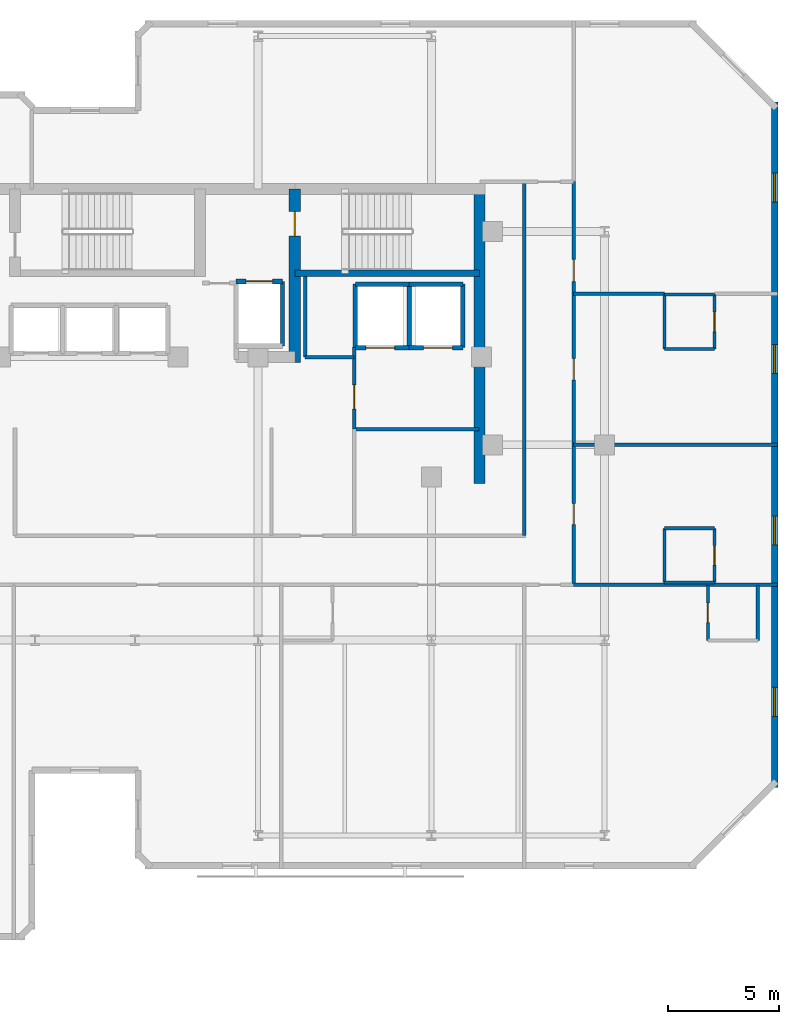
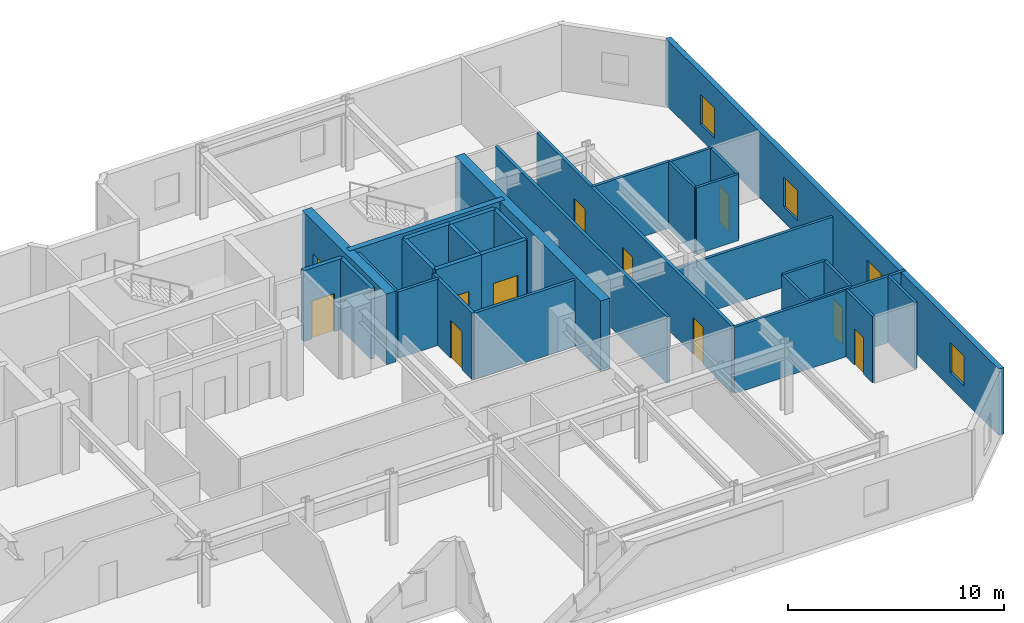
# One storey, part 6 of 10: 32 walls, 11 doors, 4 windows, 15 openings.
"""IFC4 building model written with IfcOpenShell, lengths in metres."""

from ifc_helpers import new_model, si_unit, direction, frame, frame_2d, origin, place, context, subcontext, project, spatial, rectangle, extrude, material, layer, layer_set, type_object, element, fill, save


model = new_model("IFC4")

# Units and contexts
model_context = context("Model", 3, precision=1e-05, world=origin(), true_north=direction((0.0, 1.0)))
body_context = subcontext(model_context, "Body", "Model", "MODEL_VIEW")
ifc_project = project(units=[si_unit("LENGTHUNIT", "METRE"), si_unit("AREAUNIT", "SQUARE_METRE"), si_unit("VOLUMEUNIT", "CUBIC_METRE"), si_unit("PLANEANGLEUNIT", "RADIAN"), si_unit("MASSUNIT", "GRAM", prefix="KILO")], contexts=[model_context])

# Site, building, storey
site_placement = place(None, origin())
site = spatial("IfcSite", under=ifc_project, at=site_placement, CompositionType="ELEMENT")
building_placement = place(site_placement, origin())
building = spatial("IfcBuilding", under=site, at=building_placement, Name="Kestravale Grand Hotel", CompositionType="ELEMENT")
storey_placement = place(building_placement, frame((0.0, 0.0, 277.39990234375)))
storey = spatial("IfcBuildingStorey", under=building, at=storey_placement, Name="L69", CompositionType="ELEMENT", Elevation=277.39990234375)

# Wall
ifc_material_1 = material(Name="Concrete f'c 50 MPa", Category="concrete")
ifc_layer_1 = layer(ifc_material_1, 0.5)
ifc_layer_set_1 = layer_set([ifc_layer_1], Name="EW-CORE-500")
wall_type_1 = type_object("IfcWallType", Name="EW-CORE-500", PredefinedType="SHEAR", material=ifc_layer_set_1)
wall_1_placement = place(storey_placement, frame((56.77001953125, 27.050048828125, 0.0), z_axis=(0.0, 0.0, 1.0), x_axis=(0.0, 1.0, 0.0)))
element("IfcWall", 1, at=wall_1_placement, inside=storey, type_object=wall_type_1, Name="L69 core shear wall E1", PredefinedType="SHEAR", context=body_context, shape_type="SweptSolid", body=[
    extrude(rectangle(XDim=13.52001953125, YDim=0.5, at=frame_2d((6.760009765625, 0.0))), origin(), (0.0, 0.0, 1.0), 4.0),
])

# Wall, opening, door
wall_2_placement = place(storey_placement, frame((48.449951171875, 32.5, 0.0), z_axis=(0.0, 0.0, 1.0), x_axis=(0.0, 1.0, 0.0)))
wall_2 = element("IfcWall", 2, at=wall_2_placement, inside=storey, type_object=wall_type_1, Name="L69 core shear wall X4", PredefinedType="SHEAR", context=body_context, shape_type="SweptSolid", body=[
    extrude(rectangle(XDim=7.820068359375, YDim=0.5, at=frame_2d((3.91015625, 0.0))), origin(), (0.0, 0.0, 1.0), 4.0),
])
opening_1_placement = place(wall_2_placement, frame((5.699951171875, 0.0, 0.0)))
opening_1 = element("IfcOpeningElement", 3, at=opening_1_placement, cuts=wall_2, Name="Opening D-ST-1100", PredefinedType="OPENING", context=body_context, shape_type="SweptSolid", body=[
    extrude(rectangle(XDim=1.10009765625, YDim=2.14990234375, at=frame_2d((0.550048828125, 1.074951171875))), frame((0.0, 0.260009765625, 0.0), z_axis=(0.0, -1.0, 0.0), x_axis=(1.0, 0.0, 0.0)), (0.0, 0.0, 1.0), 0.52001953125),
])
ifc_material_2 = material(Name="Galvanised 90-minute fire-rated steel stair door", Category="steel")
door_type_1 = type_object("IfcDoorType", Name="D-ST-1100", OperationType="NOTDEFINED", PredefinedType="DOOR", material=ifc_material_2)
door_1_placement = place(opening_1_placement, origin())
door_1 = element("IfcDoor", 4, at=door_1_placement, inside=storey, type_object=door_type_1, Name="L69 Stair ST-3 FSAE fire door", OperationType="SINGLE_SWING_RIGHT", OverallHeight=2.14990234375, OverallWidth=1.10009765625, PredefinedType="DOOR", context=body_context, shape_type="SweptSolid", body=[
    extrude(rectangle(XDim=1.10009765625, YDim=2.14990234375, at=frame_2d((0.550048828125, 1.074951171875))), frame((0.0, 0.02490234375, 0.0), z_axis=(0.0, -1.0, 0.0), x_axis=(1.0, 0.0, 0.0)), (0.0, 0.0, 1.0), 0.050048828125),
])
fill(opening_1, door_1)

# Wall, openings, windows
ifc_material_3 = material(Name="Precast concrete f'c 45 MPa", Category="concrete")
ifc_layer_2 = layer(ifc_material_3, 0.280029296875)
ifc_layer_set_2 = layer_set([ifc_layer_2], Name="EW-PREC-280")
wall_type_2 = type_object("IfcWallType", Name="EW-PREC-280", PredefinedType="SOLIDWALL", material=ifc_layer_set_2)
wall_3_placement = place(storey_placement, frame((70.06005859375, 13.360107421875, 0.0), z_axis=(0.0, 0.0, 1.0), x_axis=(0.0, 1.0, 0.0)))
wall_3 = element("IfcWall", 5, at=wall_3_placement, inside=storey, type_object=wall_type_2, Name="L69 fluted precast facade wall 9", PredefinedType="SOLIDWALL", context=body_context, shape_type="SweptSolid", body=[
    extrude(rectangle(XDim=30.8798828125, YDim=0.280029296875, at=frame_2d((15.43994140625, 0.0))), origin(), (0.0, 0.0, 1.0), 3.760009765625),
])
opening_2_placement = place(wall_3_placement, frame((3.2099609375, 0.0, 0.85009765625)))
opening_2 = element("IfcOpeningElement", 6, at=opening_2_placement, cuts=wall_3, Name="Opening W-GUEST-1300", PredefinedType="OPENING", context=body_context, shape_type="SweptSolid", body=[
    extrude(rectangle(XDim=1.300048828125, YDim=1.699951171875, at=frame_2d((0.64990234375, 0.85009765625))), frame((0.0, 0.14990234375, 0.0), z_axis=(0.0, -1.0, 0.0), x_axis=(1.0, 0.0, 0.0)), (0.0, 0.0, 1.0), 0.300048828125),
])
opening_3_placement = place(wall_3_placement, frame((10.929931640625, 0.0, 0.85009765625)))
opening_3 = element("IfcOpeningElement", 7, at=opening_3_placement, cuts=wall_3, Name="Opening W-GUEST-1300", PredefinedType="OPENING", context=body_context, shape_type="SweptSolid", body=[
    extrude(rectangle(XDim=1.300048828125, YDim=1.699951171875, at=frame_2d((0.64990234375, 0.85009765625))), frame((0.0, 0.14990234375, 0.0), z_axis=(0.0, -1.0, 0.0), x_axis=(1.0, 0.0, 0.0)), (0.0, 0.0, 1.0), 0.300048828125),
])
opening_4_placement = place(wall_3_placement, frame((18.64990234375, 0.0, 0.85009765625)))
opening_4 = element("IfcOpeningElement", 8, at=opening_4_placement, cuts=wall_3, Name="Opening W-GUEST-1300", PredefinedType="OPENING", context=body_context, shape_type="SweptSolid", body=[
    extrude(rectangle(XDim=1.300048828125, YDim=1.699951171875, at=frame_2d((0.64990234375, 0.85009765625))), frame((0.0, 0.14990234375, 0.0), z_axis=(0.0, -1.0, 0.0), x_axis=(1.0, 0.0, 0.0)), (0.0, 0.0, 1.0), 0.300048828125),
])
opening_5_placement = place(wall_3_placement, frame((26.3701171875, 0.0, 0.85009765625)))
opening_5 = element("IfcOpeningElement", 9, at=opening_5_placement, cuts=wall_3, Name="Opening W-GUEST-1300", PredefinedType="OPENING", context=body_context, shape_type="SweptSolid", body=[
    extrude(rectangle(XDim=1.300048828125, YDim=1.699951171875, at=frame_2d((0.64990234375, 0.85009765625))), frame((0.0, 0.14990234375, 0.0), z_axis=(0.0, -1.0, 0.0), x_axis=(1.0, 0.0, 0.0)), (0.0, 0.0, 1.0), 0.300048828125),
])
ifc_material_4 = material(Name="Insulated low-E double glazing in aluminium frame", Category="aluminium")
window_type = type_object("IfcWindowType", Name="W-GUEST-1300", PartitioningType="SINGLE_PANEL", PredefinedType="WINDOW", material=ifc_material_4)
window_1_placement = place(opening_2_placement, origin())
window_1 = element("IfcWindow", 10, at=window_1_placement, inside=storey, type_object=window_type, Name="L69 exterior window 9.1", OverallHeight=1.699951171875, OverallWidth=1.300048828125, PartitioningType="SINGLE_PANEL", PredefinedType="WINDOW", context=body_context, shape_type="SweptSolid", body=[
    extrude(rectangle(XDim=1.300048828125, YDim=1.699951171875, at=frame_2d((0.64990234375, 0.85009765625))), frame((0.0, 0.030029296875, 0.0), z_axis=(0.0, -1.0, 0.0), x_axis=(1.0, 0.0, 0.0)), (0.0, 0.0, 1.0), 0.06005859375),
])
fill(opening_2, window_1)
window_2_placement = place(opening_3_placement, origin())
window_2 = element("IfcWindow", 11, at=window_2_placement, inside=storey, type_object=window_type, Name="L69 exterior window 9.2", OverallHeight=1.699951171875, OverallWidth=1.300048828125, PartitioningType="SINGLE_PANEL", PredefinedType="WINDOW", context=body_context, shape_type="SweptSolid", body=[
    extrude(rectangle(XDim=1.300048828125, YDim=1.699951171875, at=frame_2d((0.64990234375, 0.85009765625))), frame((0.0, 0.030029296875, 0.0), z_axis=(0.0, -1.0, 0.0), x_axis=(1.0, 0.0, 0.0)), (0.0, 0.0, 1.0), 0.06005859375),
])
fill(opening_3, window_2)
window_3_placement = place(opening_4_placement, origin())
window_3 = element("IfcWindow", 12, at=window_3_placement, inside=storey, type_object=window_type, Name="L69 exterior window 9.3", OverallHeight=1.699951171875, OverallWidth=1.300048828125, PartitioningType="SINGLE_PANEL", PredefinedType="WINDOW", context=body_context, shape_type="SweptSolid", body=[
    extrude(rectangle(XDim=1.300048828125, YDim=1.699951171875, at=frame_2d((0.64990234375, 0.85009765625))), frame((0.0, 0.030029296875, 0.0), z_axis=(0.0, -1.0, 0.0), x_axis=(1.0, 0.0, 0.0)), (0.0, 0.0, 1.0), 0.06005859375),
])
fill(opening_4, window_3)
window_4_placement = place(opening_5_placement, origin())
window_4 = element("IfcWindow", 13, at=window_4_placement, inside=storey, type_object=window_type, Name="L69 exterior window 9.4", OverallHeight=1.699951171875, OverallWidth=1.300048828125, PartitioningType="SINGLE_PANEL", PredefinedType="WINDOW", context=body_context, shape_type="SweptSolid", body=[
    extrude(rectangle(XDim=1.300048828125, YDim=1.699951171875, at=frame_2d((0.64990234375, 0.85009765625))), frame((0.0, 0.030029296875, 0.0), z_axis=(0.0, -1.0, 0.0), x_axis=(1.0, 0.0, 0.0)), (0.0, 0.0, 1.0), 0.06005859375),
])
fill(opening_5, window_4)

# Wall
ifc_material_5 = material(Name="Concrete f'c 45 MPa", Category="concrete")
ifc_layer_3 = layer(ifc_material_5, 0.300048828125)
ifc_layer_set_3 = layer_set([ifc_layer_3], Name="EW-STAIR-300")
wall_type_3 = type_object("IfcWallType", Name="EW-STAIR-300", PredefinedType="SHEAR", material=ifc_layer_set_3)
wall_4_placement = place(storey_placement, frame((48.449951171875, 36.52001953125, 0.0), z_axis=(0.0, 0.0, 1.0), x_axis=(1.0, 0.0, 0.0)))
element("IfcWall", 14, at=wall_4_placement, inside=storey, type_object=wall_type_3, Name="L69 stair enclosure shear wall SST3", PredefinedType="SHEAR", context=body_context, shape_type="SweptSolid", body=[
    extrude(rectangle(XDim=8.320068359375, YDim=0.300048828125, at=frame_2d((4.16015625, 0.0))), origin(), (0.0, 0.0, 1.0), 4.0),
])

# Wall, opening, door
ifc_material_6 = material(Name="Acoustic fire-rated gypsum board partition", Category="other")
ifc_layer_4 = layer(ifc_material_6, 0.159912109375)
ifc_layer_set_4 = layer_set([ifc_layer_4], Name="IW-CORR-160")
wall_type_4 = type_object("IfcWallType", Name="IW-CORR-160", PredefinedType="PARTITIONING", material=ifc_layer_set_4)
wall_5_placement = place(storey_placement, frame((51.1201171875, 29.5, 0.0), z_axis=(0.0, 0.0, 1.0), x_axis=(0.0, 1.0, 0.0)))
wall_5 = element("IfcWall", 15, at=wall_5_placement, inside=storey, type_object=wall_type_4, Name="W-L69-SVCLOB-W", PredefinedType="PARTITIONING", context=body_context, shape_type="SweptSolid", body=[
    extrude(rectangle(XDim=3.699951171875, YDim=0.159912109375, at=frame_2d((1.85009765625, 0.0))), origin(), (0.0, 0.0, 1.0), 3.760009765625),
])
opening_6_placement = place(wall_5_placement, frame((0.89990234375, 0.0, 0.0)))
opening_6 = element("IfcOpeningElement", 16, at=opening_6_placement, cuts=wall_5, Name="Opening D-CORR-1100", PredefinedType="OPENING", context=body_context, shape_type="SweptSolid", body=[
    extrude(rectangle(XDim=1.10009765625, YDim=2.14990234375, at=frame_2d((0.550048828125, 1.074951171875))), frame((0.0, 0.08984375, 0.0), z_axis=(0.0, -1.0, 0.0), x_axis=(1.0, 0.0, 0.0)), (0.0, 0.0, 1.0), 0.179931640625),
])
ifc_material_7 = material(Name="Single-leaf service vestibule fire door", Category="steel")
door_type_2 = type_object("IfcDoorType", Name="D-CORR-1100", OperationType="NOTDEFINED", PredefinedType="DOOR", material=ifc_material_7)
door_2_placement = place(opening_6_placement, origin())
door_2 = element("IfcDoor", 17, at=door_2_placement, inside=storey, type_object=door_type_2, Name="L69 service lift lobby door", OperationType="SINGLE_SWING_LEFT", OverallHeight=2.14990234375, OverallWidth=1.10009765625, PredefinedType="DOOR", context=body_context, shape_type="SweptSolid", body=[
    extrude(rectangle(XDim=1.10009765625, YDim=2.14990234375, at=frame_2d((0.550048828125, 1.074951171875))), frame((0.0, 0.02490234375, 0.0), z_axis=(0.0, -1.0, 0.0), x_axis=(1.0, 0.0, 0.0)), (0.0, 0.0, 1.0), 0.050048828125),
])
fill(opening_6, door_2)

# Walls
wall_6_placement = place(storey_placement, frame((51.1201171875, 29.5, 0.0), z_axis=(0.0, 0.0, 1.0), x_axis=(1.0, 0.0, 0.0)))
element("IfcWall", 18, at=wall_6_placement, inside=storey, type_object=wall_type_4, Name="L69 service lift lobby wall", PredefinedType="PARTITIONING", context=body_context, shape_type="SweptSolid", body=[
    extrude(rectangle(XDim=5.6298828125, YDim=0.159912109375, at=frame_2d((2.81494140625, 0.0))), origin(), (0.0, 0.0, 1.0), 3.760009765625),
])
wall_7_placement = place(storey_placement, frame((48.919921875, 32.75, 0.0), z_axis=(0.0, 0.0, 1.0), x_axis=(1.0, 0.0, 0.0)))
element("IfcWall", 19, at=wall_7_placement, inside=storey, type_object=wall_type_4, Name="W-L69-CES", PredefinedType="PARTITIONING", context=body_context, shape_type="SweptSolid", body=[
    extrude(rectangle(XDim=2.2001953125, YDim=0.159912109375, at=frame_2d((1.10009765625, 0.0))), origin(), (0.0, 0.0, 1.0), 3.760009765625),
])

# Wall, openings, doors
wall_8_placement = place(storey_placement, frame((61.010009765625, 22.550048828125, 0.0), z_axis=(0.0, 0.0, 1.0), x_axis=(0.0, 1.0, 0.0)))
wall_8 = element("IfcWall", 20, at=wall_8_placement, inside=storey, type_object=wall_type_4, Name="W-L69-SE-E", PredefinedType="PARTITIONING", context=body_context, shape_type="SweptSolid", body=[
    extrude(rectangle(XDim=18.099853515625, YDim=0.159912109375, at=frame_2d((9.0498046875, 0.0))), origin(), (0.0, 0.0, 1.0), 3.760009765625),
])
opening_7_placement = place(wall_8_placement, frame((2.64990234375, 0.0, 0.0)))
opening_7 = element("IfcOpeningElement", 21, at=opening_7_placement, cuts=wall_8, Name="Opening D-GUEST-950", PredefinedType="OPENING", context=body_context, shape_type="SweptSolid", body=[
    extrude(rectangle(XDim=0.949951171875, YDim=2.10009765625, at=frame_2d((0.47509765625, 1.050048828125))), frame((0.0, 0.08984375, 0.0), z_axis=(0.0, -1.0, 0.0), x_axis=(1.0, 0.0, 0.0)), (0.0, 0.0, 1.0), 0.179931640625),
])
opening_8_placement = place(wall_8_placement, frame((9.175048828125, 0.0, 0.0)))
opening_8 = element("IfcOpeningElement", 22, at=opening_8_placement, cuts=wall_8, Name="Opening D-GUEST-950", PredefinedType="OPENING", context=body_context, shape_type="SweptSolid", body=[
    extrude(rectangle(XDim=0.949951171875, YDim=2.10009765625, at=frame_2d((0.47509765625, 1.050048828125))), frame((0.0, 0.08984375, 0.0), z_axis=(0.0, -1.0, 0.0), x_axis=(1.0, 0.0, 0.0)), (0.0, 0.0, 1.0), 0.179931640625),
])
opening_9_placement = place(wall_8_placement, frame((13.60009765625, 0.0, 0.0)))
opening_9 = element("IfcOpeningElement", 23, at=opening_9_placement, cuts=wall_8, Name="Opening D-GUEST-1000", PredefinedType="OPENING", context=body_context, shape_type="SweptSolid", body=[
    extrude(rectangle(XDim=1.0, YDim=2.14990234375, at=frame_2d((0.5, 1.074951171875))), frame((0.0, 0.08984375, 0.0), z_axis=(0.0, -1.0, 0.0), x_axis=(1.0, 0.0, 0.0)), (0.0, 0.0, 1.0), 0.179931640625),
])
ifc_material_8 = material(Name="Accessible walnut veneer hotel entrance fire door", Category="wood")
door_type_3 = type_object("IfcDoorType", Name="D-GUEST-1000", OperationType="NOTDEFINED", PredefinedType="DOOR", material=ifc_material_8)
door_3_placement = place(opening_9_placement, origin())
door_3 = element("IfcDoor", 24, at=door_3_placement, inside=storey, type_object=door_type_3, Name="D-L69-AMEW", OperationType="SINGLE_SWING_RIGHT", OverallHeight=2.14990234375, OverallWidth=1.0, PredefinedType="DOOR", context=body_context, shape_type="SweptSolid", body=[
    extrude(rectangle(XDim=1.0, YDim=2.14990234375, at=frame_2d((0.5, 1.074951171875))), frame((0.0, 0.02490234375, 0.0), z_axis=(0.0, -1.0, 0.0), x_axis=(1.0, 0.0, 0.0)), (0.0, 0.0, 1.0), 0.050048828125),
])
fill(opening_9, door_3)
ifc_material_9 = material(Name="Walnut veneer hotel guestroom entrance fire door", Category="wood")
door_type_4 = type_object("IfcDoorType", Name="D-GUEST-950", OperationType="NOTDEFINED", PredefinedType="DOOR", material=ifc_material_9)
door_4_placement = place(opening_7_placement, origin())
door_4 = element("IfcDoor", 25, at=door_4_placement, inside=storey, type_object=door_type_4, Name="D-L69-U06-ENT", OperationType="SINGLE_SWING_LEFT", OverallHeight=2.10009765625, OverallWidth=0.949951171875, PredefinedType="DOOR", context=body_context, shape_type="SweptSolid", body=[
    extrude(rectangle(XDim=0.949951171875, YDim=2.10009765625, at=frame_2d((0.47509765625, 1.050048828125))), frame((0.0, 0.02490234375, 0.0), z_axis=(0.0, -1.0, 0.0), x_axis=(1.0, 0.0, 0.0)), (0.0, 0.0, 1.0), 0.050048828125),
])
fill(opening_7, door_4)
door_5_placement = place(opening_8_placement, origin())
door_5 = element("IfcDoor", 26, at=door_5_placement, inside=storey, type_object=door_type_4, Name="D-L69-U07-ENT", OperationType="SINGLE_SWING_LEFT", OverallHeight=2.10009765625, OverallWidth=0.949951171875, PredefinedType="DOOR", context=body_context, shape_type="SweptSolid", body=[
    extrude(rectangle(XDim=0.949951171875, YDim=2.10009765625, at=frame_2d((0.47509765625, 1.050048828125))), frame((0.0, 0.02490234375, 0.0), z_axis=(0.0, -1.0, 0.0), x_axis=(1.0, 0.0, 0.0)), (0.0, 0.0, 1.0), 0.050048828125),
])
fill(opening_8, door_5)

# Wall
wall_9_placement = place(storey_placement, frame((58.7900390625, 24.7099609375, 0.0), z_axis=(0.0, 0.0, 1.0), x_axis=(0.0, 1.0, 0.0)))
element("IfcWall", 27, at=wall_9_placement, inside=storey, type_object=wall_type_4, Name="W-L69-SE-WU", PredefinedType="PARTITIONING", context=body_context, shape_type="SweptSolid", body=[
    extrude(rectangle(XDim=15.93994140625, YDim=0.159912109375, at=frame_2d((7.969970703125, 0.0))), origin(), (0.0, 0.0, 1.0), 3.760009765625),
])

# Wall, opening, door
ifc_material_10 = material(Name="Moisture-resistant tile-backer plumbing chase wall", Category="other")
ifc_layer_5 = layer(ifc_material_10, 0.139892578125)
ifc_layer_set_5 = layer_set([ifc_layer_5], Name="IW-PLB-140")
wall_type_5 = type_object("IfcWallType", Name="IW-PLB-140", PredefinedType="PLUMBINGWALL", material=ifc_layer_set_5)
wall_10_placement = place(storey_placement, frame((67.050048828125, 19.97998046875, 0.0), z_axis=(0.0, 0.0, 1.0), x_axis=(0.0, 1.0, 0.0)))
wall_10 = element("IfcWall", 28, at=wall_10_placement, inside=storey, type_object=wall_type_5, Name="W-L69-U05-BW", PredefinedType="PLUMBINGWALL", context=body_context, shape_type="SweptSolid", body=[
    extrude(rectangle(XDim=2.489990234375, YDim=0.139892578125, at=frame_2d((1.2451171875, 0.0))), origin(), (0.0, 0.0, 1.0), 3.760009765625),
])
opening_10_placement = place(wall_10_placement, frame((0.804931640625, 0.0, 0.0)))
opening_10 = element("IfcOpeningElement", 29, at=opening_10_placement, cuts=wall_10, Name="Opening D-BATH-880", PredefinedType="OPENING", context=body_context, shape_type="SweptSolid", body=[
    extrude(rectangle(XDim=0.8798828125, YDim=2.050048828125, at=frame_2d((0.43994140625, 1.02490234375))), frame((0.0, 0.079833984375, 0.0), z_axis=(0.0, -1.0, 0.0), x_axis=(1.0, 0.0, 0.0)), (0.0, 0.0, 1.0), 0.159912109375),
])
ifc_material_11 = material(Name="Moisture-sealed walnut en-suite bathroom door", Category="wood")
door_type_5 = type_object("IfcDoorType", Name="D-BATH-880", OperationType="NOTDEFINED", PredefinedType="DOOR", material=ifc_material_11)
door_6_placement = place(opening_10_placement, origin())
door_6 = element("IfcDoor", 30, at=door_6_placement, inside=storey, type_object=door_type_5, Name="D-L69-U05-BATH", OperationType="SINGLE_SWING_RIGHT", OverallHeight=2.050048828125, OverallWidth=0.8798828125, PredefinedType="DOOR", context=body_context, shape_type="SweptSolid", body=[
    extrude(rectangle(XDim=0.8798828125, YDim=2.050048828125, at=frame_2d((0.43994140625, 1.02490234375))), frame((0.0, 0.02490234375, 0.0), z_axis=(0.0, -1.0, 0.0), x_axis=(1.0, 0.0, 0.0)), (0.0, 0.0, 1.0), 0.050048828125),
])
fill(opening_10, door_6)

# Walls
wall_11_placement = place(storey_placement, frame((69.300048828125, 19.97998046875, 0.0), z_axis=(0.0, 0.0, 1.0), x_axis=(0.0, 1.0, 0.0)))
element("IfcWall", 31, at=wall_11_placement, inside=storey, type_object=wall_type_5, Name="W-L69-U05-BE", PredefinedType="PLUMBINGWALL", context=body_context, shape_type="SweptSolid", body=[
    extrude(rectangle(XDim=2.489990234375, YDim=0.139892578125, at=frame_2d((1.2451171875, 0.0))), origin(), (0.0, 0.0, 1.0), 3.760009765625),
])
wall_12_placement = place(storey_placement, frame((65.10009765625, 22.590087890625, 0.0), z_axis=(0.0, 0.0, 1.0), x_axis=(0.0, 1.0, 0.0)))
element("IfcWall", 32, at=wall_12_placement, inside=storey, type_object=wall_type_5, Name="W-L69-U06-BW", PredefinedType="PLUMBINGWALL", context=body_context, shape_type="SweptSolid", body=[
    extrude(rectangle(XDim=2.449951171875, YDim=0.139892578125, at=frame_2d((1.22509765625, 0.0))), origin(), (0.0, 0.0, 1.0), 3.760009765625),
])

# Wall, opening, door
wall_13_placement = place(storey_placement, frame((67.35009765625, 22.590087890625, 0.0), z_axis=(0.0, 0.0, 1.0), x_axis=(0.0, 1.0, 0.0)))
wall_13 = element("IfcWall", 33, at=wall_13_placement, inside=storey, type_object=wall_type_5, Name="W-L69-U06-BE", PredefinedType="PLUMBINGWALL", context=body_context, shape_type="SweptSolid", body=[
    extrude(rectangle(XDim=2.449951171875, YDim=0.139892578125, at=frame_2d((1.22509765625, 0.0))), origin(), (0.0, 0.0, 1.0), 3.760009765625),
])
opening_11_placement = place(wall_13_placement, frame((0.784912109375, 0.0, 0.0)))
opening_11 = element("IfcOpeningElement", 34, at=opening_11_placement, cuts=wall_13, Name="Opening D-BATH-880", PredefinedType="OPENING", context=body_context, shape_type="SweptSolid", body=[
    extrude(rectangle(XDim=0.8798828125, YDim=2.050048828125, at=frame_2d((0.43994140625, 1.02490234375))), frame((0.0, 0.079833984375, 0.0), z_axis=(0.0, -1.0, 0.0), x_axis=(1.0, 0.0, 0.0)), (0.0, 0.0, 1.0), 0.159912109375),
])
door_7_placement = place(opening_11_placement, origin())
door_7 = element("IfcDoor", 35, at=door_7_placement, inside=storey, type_object=door_type_5, Name="D-L69-U06-BATH", OperationType="SINGLE_SWING_RIGHT", OverallHeight=2.050048828125, OverallWidth=0.8798828125, PredefinedType="DOOR", context=body_context, shape_type="SweptSolid", body=[
    extrude(rectangle(XDim=0.8798828125, YDim=2.050048828125, at=frame_2d((0.43994140625, 1.02490234375))), frame((0.0, 0.02490234375, 0.0), z_axis=(0.0, -1.0, 0.0), x_axis=(1.0, 0.0, 0.0)), (0.0, 0.0, 1.0), 0.050048828125),
])
fill(opening_11, door_7)

# Walls
for number, where, z_axis, x_axis, name in (
    (36, (65.10009765625, 22.590087890625, 0.0), (0.0, 0.0, 1.0), (1.0, 0.0, 0.0), "W-L69-U06-BS"),
    (37, (65.10009765625, 25.0400390625, 0.0), (0.0, 0.0, 1.0), (1.0, 0.0, 0.0), "W-L69-U06-BN"),
):
    element("IfcWall", number, at=place(storey_placement, frame(where, z_axis=z_axis, x_axis=x_axis)), inside=storey, type_object=wall_type_5, Name=name, PredefinedType="PLUMBINGWALL", context=body_context, shape_type="SweptSolid", body=[
        extrude(rectangle(XDim=2.25, YDim=0.139892578125, at=frame_2d((1.125, 0.0))), origin(), (0.0, 0.0, 1.0), 3.760009765625),
    ])
wall_14_placement = place(storey_placement, frame((65.10009765625, 33.110107421875, 0.0), z_axis=(0.0, 0.0, 1.0), x_axis=(0.0, 1.0, 0.0)))
element("IfcWall", 38, at=wall_14_placement, inside=storey, type_object=wall_type_5, Name="W-L69-U07-BW", PredefinedType="PLUMBINGWALL", context=body_context, shape_type="SweptSolid", body=[
    extrude(rectangle(XDim=2.449951171875, YDim=0.139892578125, at=frame_2d((1.22509765625, 0.0))), origin(), (0.0, 0.0, 1.0), 3.760009765625),
])

# Wall, opening, door
wall_15_placement = place(storey_placement, frame((67.35009765625, 33.110107421875, 0.0), z_axis=(0.0, 0.0, 1.0), x_axis=(0.0, 1.0, 0.0)))
wall_15 = element("IfcWall", 39, at=wall_15_placement, inside=storey, type_object=wall_type_5, Name="W-L69-U07-BE", PredefinedType="PLUMBINGWALL", context=body_context, shape_type="SweptSolid", body=[
    extrude(rectangle(XDim=2.449951171875, YDim=0.139892578125, at=frame_2d((1.22509765625, 0.0))), origin(), (0.0, 0.0, 1.0), 3.760009765625),
])
opening_12_placement = place(wall_15_placement, frame((0.784912109375, 0.0, 0.0)))
opening_12 = element("IfcOpeningElement", 40, at=opening_12_placement, cuts=wall_15, Name="Opening D-BATH-880", PredefinedType="OPENING", context=body_context, shape_type="SweptSolid", body=[
    extrude(rectangle(XDim=0.8798828125, YDim=2.050048828125, at=frame_2d((0.43994140625, 1.02490234375))), frame((0.0, 0.079833984375, 0.0), z_axis=(0.0, -1.0, 0.0), x_axis=(1.0, 0.0, 0.0)), (0.0, 0.0, 1.0), 0.159912109375),
])
door_8_placement = place(opening_12_placement, origin())
door_8 = element("IfcDoor", 41, at=door_8_placement, inside=storey, type_object=door_type_5, Name="D-L69-U07-BATH", OperationType="SINGLE_SWING_RIGHT", OverallHeight=2.050048828125, OverallWidth=0.8798828125, PredefinedType="DOOR", context=body_context, shape_type="SweptSolid", body=[
    extrude(rectangle(XDim=0.8798828125, YDim=2.050048828125, at=frame_2d((0.43994140625, 1.02490234375))), frame((0.0, 0.02490234375, 0.0), z_axis=(0.0, -1.0, 0.0), x_axis=(1.0, 0.0, 0.0)), (0.0, 0.0, 1.0), 0.050048828125),
])
fill(opening_12, door_8)

# Walls
for number, where, z_axis, x_axis, name in (
    (42, (65.10009765625, 33.110107421875, 0.0), (0.0, 0.0, 1.0), (1.0, 0.0, 0.0), "W-L69-U07-BS"),
    (43, (65.10009765625, 35.56005859375, 0.0), (0.0, 0.0, 1.0), (1.0, 0.0, 0.0), "W-L69-U07-BN"),
):
    element("IfcWall", number, at=place(storey_placement, frame(where, z_axis=z_axis, x_axis=x_axis)), inside=storey, type_object=wall_type_5, Name=name, PredefinedType="PLUMBINGWALL", context=body_context, shape_type="SweptSolid", body=[
        extrude(rectangle(XDim=2.25, YDim=0.139892578125, at=frame_2d((1.125, 0.0))), origin(), (0.0, 0.0, 1.0), 3.760009765625),
    ])
ifc_material_12 = material(Name="Concrete f'c 45 MPa", Category="concrete")
ifc_layer_6 = layer(ifc_material_12, 0.199951171875)
ifc_layer_set_6 = layer_set([ifc_layer_6], Name="IW-SHAFT-200")
wall_type_6 = type_object("IfcWallType", Name="IW-SHAFT-200", PredefinedType="SHEAR", material=ifc_layer_set_6)
for number, where, z_axis, x_axis, name in (
    (44, (51.179931640625, 33.169921875, 0.0), (0.0, 0.0, 1.0), (0.0, 1.0, 0.0), "L69 SL-1 west shaft wall"),
    (45, (53.60009765625, 33.169921875, 0.0), (0.0, 0.0, 1.0), (0.0, 1.0, 0.0), "L69 SL-2 west shaft wall"),
    (46, (56.02001953125, 33.169921875, 0.0), (0.0, 0.0, 1.0), (0.0, 1.0, 0.0), "L69 SL-2 east shaft wall"),
):
    element("IfcWall", number, at=place(storey_placement, frame(where, z_axis=z_axis, x_axis=x_axis)), inside=storey, type_object=wall_type_6, Name=name, PredefinedType="SHEAR", context=body_context, shape_type="SweptSolid", body=[
        extrude(rectangle(XDim=2.860107421875, YDim=0.199951171875, at=frame_2d((1.43017578125, 0.0))), origin(), (0.0, 0.0, 1.0), 4.0),
    ])
wall_16_placement = place(storey_placement, frame((47.89501953125, 33.2451171875, 0.0), z_axis=(0.0, 0.0, 1.0), x_axis=(0.0, 1.0, 0.0)))
element("IfcWall", 47, at=wall_16_placement, inside=storey, type_object=wall_type_6, Name="L69 FL-2 east shaft wall", PredefinedType="SHEAR", context=body_context, shape_type="SweptSolid", body=[
    extrude(rectangle(XDim=2.909912109375, YDim=0.199951171875, at=frame_2d((1.455078125, 0.0))), origin(), (0.0, 0.0, 1.0), 4.0),
])
ifc_material_13 = material(Name="Concrete f'c 45 MPa", Category="concrete")
ifc_layer_7 = layer(ifc_material_13, 0.219970703125)
ifc_layer_set_7 = layer_set([ifc_layer_7], Name="IW-SHAFT-220")
wall_type_7 = type_object("IfcWallType", Name="IW-SHAFT-220", PredefinedType="SHEAR", material=ifc_layer_set_7)
wall_17_placement = place(storey_placement, frame((51.179931640625, 36.030029296875, 0.0), z_axis=(0.0, 0.0, 1.0), x_axis=(1.0, 0.0, 0.0)))
element("IfcWall", 48, at=wall_17_placement, inside=storey, type_object=wall_type_7, Name="L69 SL-1 north shaft wall", PredefinedType="SHEAR", context=body_context, shape_type="SweptSolid", body=[
    extrude(rectangle(XDim=2.420166015625, YDim=0.219970703125, at=frame_2d((1.2099609375, 0.0))), origin(), (0.0, 0.0, 1.0), 4.0),
])

# Wall, opening, door
wall_18_placement = place(storey_placement, frame((51.179931640625, 33.169921875, 0.0), z_axis=(0.0, 0.0, 1.0), x_axis=(1.0, 0.0, 0.0)))
wall_18 = element("IfcWall", 49, at=wall_18_placement, inside=storey, type_object=wall_type_7, Name="L69 SL-1 south shaft wall", PredefinedType="SHEAR", context=body_context, shape_type="SweptSolid", body=[
    extrude(rectangle(XDim=2.420166015625, YDim=0.219970703125, at=frame_2d((1.2099609375, 0.0))), origin(), (0.0, 0.0, 1.0), 4.0),
])
opening_13_placement = place(wall_18_placement, frame((0.469970703125, 0.0, 0.0)))
opening_13 = element("IfcOpeningElement", 50, at=opening_13_placement, cuts=wall_18, Name="Opening LD-SVC-1300", PredefinedType="OPENING", context=body_context, shape_type="SweptSolid", body=[
    extrude(rectangle(XDim=1.300048828125, YDim=2.14990234375, at=frame_2d((0.64990234375, 1.074951171875))), frame((0.0, 0.119873046875, 0.0), z_axis=(0.0, -1.0, 0.0), x_axis=(1.0, 0.0, 0.0)), (0.0, 0.0, 1.0), 0.239990234375),
])
ifc_material_14 = material(Name="Heavy-duty service sliding elevator landing door", Category="steel")
door_type_6 = type_object("IfcDoorType", Name="LD-SVC-1300", OperationType="NOTDEFINED", PredefinedType="DOOR", material=ifc_material_14)
door_9_placement = place(opening_13_placement, origin())
door_9 = element("IfcDoor", 51, at=door_9_placement, inside=storey, type_object=door_type_6, Name="L69 SL-1 elevator landing sliding door", OperationType="DOUBLE_DOOR_SLIDING", OverallHeight=2.14990234375, OverallWidth=1.300048828125, PredefinedType="DOOR", context=body_context, shape_type="SweptSolid", body=[
    extrude(rectangle(XDim=1.300048828125, YDim=2.14990234375, at=frame_2d((0.64990234375, 1.074951171875))), frame((0.0, 0.02490234375, 0.0), z_axis=(0.0, -1.0, 0.0), x_axis=(1.0, 0.0, 0.0)), (0.0, 0.0, 1.0), 0.050048828125),
])
fill(opening_13, door_9)

# Wall
wall_19_placement = place(storey_placement, frame((53.60009765625, 36.030029296875, 0.0), z_axis=(0.0, 0.0, 1.0), x_axis=(1.0, 0.0, 0.0)))
element("IfcWall", 52, at=wall_19_placement, inside=storey, type_object=wall_type_7, Name="L69 SL-2 north shaft wall", PredefinedType="SHEAR", context=body_context, shape_type="SweptSolid", body=[
    extrude(rectangle(XDim=2.419921875, YDim=0.219970703125, at=frame_2d((1.2099609375, 0.0))), origin(), (0.0, 0.0, 1.0), 4.0),
])

# Wall, opening, door
wall_20_placement = place(storey_placement, frame((53.60009765625, 33.169921875, 0.0), z_axis=(0.0, 0.0, 1.0), x_axis=(1.0, 0.0, 0.0)))
wall_20 = element("IfcWall", 53, at=wall_20_placement, inside=storey, type_object=wall_type_7, Name="L69 SL-2 south shaft wall", PredefinedType="SHEAR", context=body_context, shape_type="SweptSolid", body=[
    extrude(rectangle(XDim=2.419921875, YDim=0.219970703125, at=frame_2d((1.2099609375, 0.0))), origin(), (0.0, 0.0, 1.0), 4.0),
])
opening_14_placement = place(wall_20_placement, frame((0.64990234375, 0.0, 0.0)))
opening_14 = element("IfcOpeningElement", 54, at=opening_14_placement, cuts=wall_20, Name="Opening LD-SVC-1300", PredefinedType="OPENING", context=body_context, shape_type="SweptSolid", body=[
    extrude(rectangle(XDim=1.300048828125, YDim=2.14990234375, at=frame_2d((0.64990234375, 1.074951171875))), frame((0.0, 0.119873046875, 0.0), z_axis=(0.0, -1.0, 0.0), x_axis=(1.0, 0.0, 0.0)), (0.0, 0.0, 1.0), 0.239990234375),
])
door_10_placement = place(opening_14_placement, origin())
door_10 = element("IfcDoor", 55, at=door_10_placement, inside=storey, type_object=door_type_6, Name="L69 SL-2 elevator landing sliding door", OperationType="DOUBLE_DOOR_SLIDING", OverallHeight=2.14990234375, OverallWidth=1.300048828125, PredefinedType="DOOR", context=body_context, shape_type="SweptSolid", body=[
    extrude(rectangle(XDim=1.300048828125, YDim=2.14990234375, at=frame_2d((0.64990234375, 1.074951171875))), frame((0.0, 0.02490234375, 0.0), z_axis=(0.0, -1.0, 0.0), x_axis=(1.0, 0.0, 0.0)), (0.0, 0.0, 1.0), 0.050048828125),
])
fill(opening_14, door_10)

wall_21_placement = place(storey_placement, frame((45.804931640625, 36.155029296875, 0.0), z_axis=(0.0, 0.0, 1.0), x_axis=(1.0, 0.0, 0.0)))
wall_21 = element("IfcWall", 56, at=wall_21_placement, inside=storey, type_object=wall_type_7, Name="L69 FL-2 north shaft wall", PredefinedType="SHEAR", context=body_context, shape_type="SweptSolid", body=[
    extrude(rectangle(XDim=2.090087890625, YDim=0.219970703125, at=frame_2d((1.044921875, 0.0))), origin(), (0.0, 0.0, 1.0), 4.0),
])
opening_15_placement = place(wall_21_placement, frame((0.445068359375, 0.0, 0.0)))
opening_15 = element("IfcOpeningElement", 57, at=opening_15_placement, cuts=wall_21, Name="Opening LD-FSAE-1200", PredefinedType="OPENING", context=body_context, shape_type="SweptSolid", body=[
    extrude(rectangle(XDim=1.199951171875, YDim=2.14990234375, at=frame_2d((0.60009765625, 1.074951171875))), frame((0.0, 0.119873046875, 0.0), z_axis=(0.0, -1.0, 0.0), x_axis=(1.0, 0.0, 0.0)), (0.0, 0.0, 1.0), 0.239990234375),
])
ifc_material_15 = material(Name="Stainless fire-service sliding elevator landing door", Category="steel")
door_type_7 = type_object("IfcDoorType", Name="LD-FSAE-1200", OperationType="NOTDEFINED", PredefinedType="DOOR", material=ifc_material_15)
door_11_placement = place(opening_15_placement, origin())
door_11 = element("IfcDoor", 58, at=door_11_placement, inside=storey, type_object=door_type_7, Name="L69 FL-2 elevator landing sliding door", OperationType="DOUBLE_DOOR_SLIDING", OverallHeight=2.14990234375, OverallWidth=1.199951171875, PredefinedType="DOOR", context=body_context, shape_type="SweptSolid", body=[
    extrude(rectangle(XDim=1.199951171875, YDim=2.14990234375, at=frame_2d((0.60009765625, 1.074951171875))), frame((0.0, 0.02490234375, 0.0), z_axis=(0.0, -1.0, 0.0), x_axis=(1.0, 0.0, 0.0)), (0.0, 0.0, 1.0), 0.050048828125),
])
fill(opening_15, door_11)

# Walls
ifc_material_16 = material(Name="Double-stud STC 52 acoustic demising partition", Category="other")
ifc_layer_8 = layer(ifc_material_16, 0.14990234375)
ifc_layer_set_8 = layer_set([ifc_layer_8], Name="IW-UNIT-150")
wall_type_8 = type_object("IfcWallType", Name="IW-UNIT-150", PredefinedType="PARTITIONING", material=ifc_layer_set_8)
wall_22_placement = place(storey_placement, frame((48.919921875, 32.75, 0.0), z_axis=(0.0, 0.0, 1.0), x_axis=(0.0, 1.0, 0.0)))
element("IfcWall", 59, at=wall_22_placement, inside=storey, type_object=wall_type_8, Name="W-L69-CEW", PredefinedType="PARTITIONING", context=body_context, shape_type="SweptSolid", body=[
    extrude(rectangle(XDim=3.6201171875, YDim=0.14990234375, at=frame_2d((1.81005859375, 0.0))), origin(), (0.0, 0.0, 1.0), 3.760009765625),
])
wall_23_placement = place(storey_placement, frame((61.010009765625, 22.489990234375, 0.0), z_axis=(0.0, 0.0, 1.0), x_axis=(1.0, 0.0, 0.0)))
element("IfcWall", 60, at=wall_23_placement, inside=storey, type_object=wall_type_8, Name="W-L69-SEC-N", PredefinedType="PARTITIONING", context=body_context, shape_type="SweptSolid", body=[
    extrude(rectangle(XDim=9.169921875, YDim=0.14990234375, at=frame_2d((4.5849609375, 0.0))), origin(), (0.0, 0.0, 1.0), 3.760009765625),
])
wall_24_placement = place(storey_placement, frame((61.010009765625, 28.800048828125, 0.0), z_axis=(0.0, 0.0, 1.0), x_axis=(1.0, 0.0, 0.0)))
element("IfcWall", 61, at=wall_24_placement, inside=storey, type_object=wall_type_8, Name="W-L69-EW-1", PredefinedType="PARTITIONING", context=body_context, shape_type="SweptSolid", body=[
    extrude(rectangle(XDim=9.169921875, YDim=0.14990234375, at=frame_2d((4.5849609375, 0.0))), origin(), (0.0, 0.0, 1.0), 3.064208984375),
])
wall_25_placement = place(storey_placement, frame((61.010009765625, 35.60009765625, 0.0), z_axis=(0.0, 0.0, 1.0), x_axis=(1.0, 0.0, 0.0)))
element("IfcWall", 62, at=wall_25_placement, inside=storey, type_object=wall_type_8, Name="W-L69-EW-2", PredefinedType="PARTITIONING", context=body_context, shape_type="SweptSolid", body=[
    extrude(rectangle(XDim=4.090087890625, YDim=0.14990234375, at=frame_2d((2.044921875, 0.0))), origin(), (0.0, 0.0, 1.0), 3.760009765625),
])

save(model, "model.ifc")
